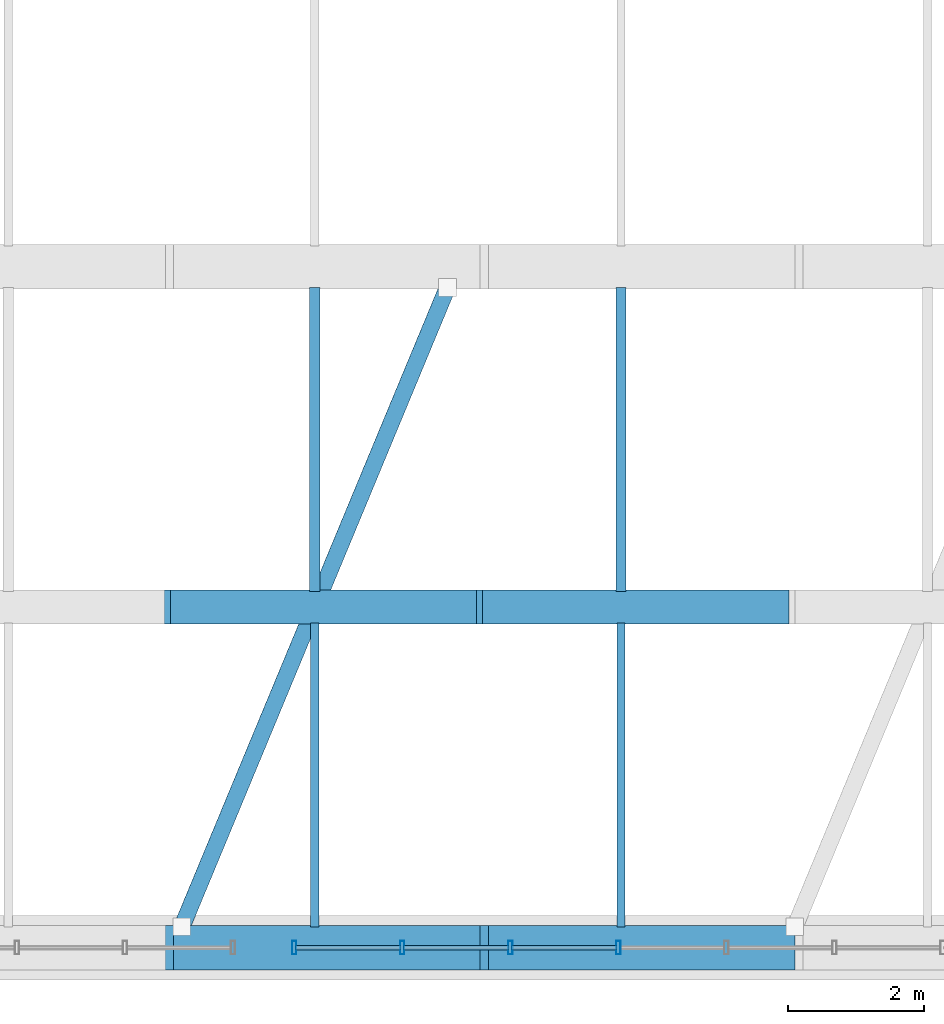
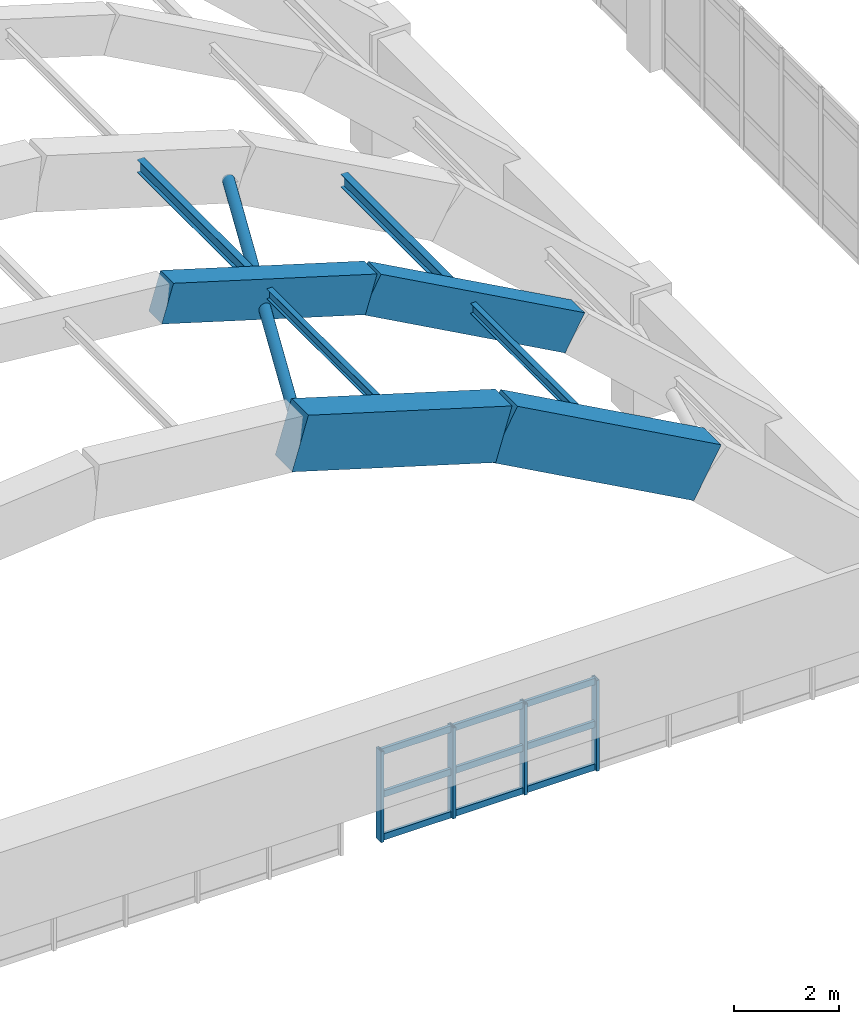
# One storey, part 67 of 111: 18 members, 4 beams, 1 element without a shape of its own.
"""IFC4 building model written with IfcOpenShell, lengths in metres."""

import ifcopenshell
import ifcopenshell.guid

model = None  # the IFC model being written
_history = None  # IfcOwnerHistory: only IFC2X3 demands one
_inside = {}  # id of a spatial element -> (the spatial element, [elements in it])
_under = {}  # id of a project, library or spatial element -> (it, [spatial elements below it])
_declared = {}  # id of a project -> (the project, [libraries it declares])
_typed = {}  # id of a type object -> (the type object, [elements of that type])
_made_of = {}  # id of a material, layer set ... -> (it, [elements and type objects made of it])


def new_model(schema):
    """Start an empty IFC model of exactly this schema.

    Asked for "IFC4X3", IfcOpenShell would pick the latest addendum, in which some entities
    have other attributes; the version numbers below select the first issue.
    IFC2X3 requires an IfcOwnerHistory on every rooted entity: one is made here for all.
    """
    global model, _history
    if schema == "IFC4X3":
        model = ifcopenshell.file(schema_version=(4, 3, 0, 0))
    else:
        model = ifcopenshell.file(schema=schema)
    _inside.clear()
    _under.clear()
    _declared.clear()
    _typed.clear()
    _made_of.clear()
    _history = None
    if model.schema == "IFC2X3":
        org = make("IfcOrganization", Name="unknown")
        user = make(
            "IfcPersonAndOrganization",
            ThePerson=make("IfcPerson", FamilyName="unknown"),
            TheOrganization=org,
        )
        app = make(
            "IfcApplication",
            ApplicationDeveloper=org,
            Version="unknown",
            ApplicationFullName="unknown",
            ApplicationIdentifier="unknown",
        )
        _history = make(
            "IfcOwnerHistory",
            OwningUser=user,
            OwningApplication=app,
            ChangeAction="ADDED",
            CreationDate=0,
        )
    return model


def make(cls, **values):
    """One entity of the class cls with the attributes given. An attribute that is None is left unset."""
    return model.create_entity(
        cls, **{name: value for name, value in values.items() if value is not None}
    )


def rooted(cls, **values):
    """An entity with a GlobalId (a new one), such as an element, a storey or a relation."""
    return make(cls, GlobalId=ifcopenshell.guid.new(), OwnerHistory=_history, **values)


def si_unit(unit_type, name, prefix=None):
    """IfcSIUnit, for example si_unit("LENGTHUNIT", "METRE", prefix="MILLI")."""
    return make("IfcSIUnit", UnitType=unit_type, Prefix=prefix, Name=name)


def assignment(units):
    """IfcUnitAssignment: the units of a project."""
    return None if units is None else make("IfcUnitAssignment", Units=units)


def point(xyz):
    """IfcCartesianPoint."""
    return None if xyz is None else make("IfcCartesianPoint", Coordinates=xyz)


def direction(xyz):
    """IfcDirection."""
    return None if xyz is None else make("IfcDirection", DirectionRatios=xyz)


def frame(location, z_axis=None, x_axis=None):
    """IfcAxis2Placement3D, a coordinate frame: its origin and axes. An axis left out is left unset."""
    return make(
        "IfcAxis2Placement3D",
        Location=point(location),
        Axis=direction(z_axis),
        RefDirection=direction(x_axis),
    )


def frame_2d(location, x_axis=None):
    """IfcAxis2Placement2D, a coordinate frame in the plane: its origin and x axis."""
    return make(
        "IfcAxis2Placement2D", Location=point(location), RefDirection=direction(x_axis)
    )


def origin():
    """The frame at (0, 0, 0) with its axes left unset."""
    return frame((0.0, 0.0, 0.0))


def origin_2d():
    """The frame at (0, 0) in the plane with its x axis left unset."""
    return frame_2d((0.0, 0.0))


def place(relative_to, where):
    """IfcLocalPlacement: puts the frame where relative to a parent placement (None: the world)."""
    return make(
        "IfcLocalPlacement", PlacementRelTo=relative_to, RelativePlacement=where
    )


def context(
    kind, dimensions, precision=None, world=None, true_north=None, identifier=None
):
    """IfcGeometricRepresentationContext, for example the 3D "Model" context."""
    return make(
        "IfcGeometricRepresentationContext",
        ContextIdentifier=identifier,
        ContextType=kind,
        CoordinateSpaceDimension=dimensions,
        Precision=precision,
        WorldCoordinateSystem=world,
        TrueNorth=true_north,
    )


def subcontext(parent, identifier, kind, view, scale=None):
    """IfcGeometricRepresentationSubContext, for example "Body" below "Model"."""
    return make(
        "IfcGeometricRepresentationSubContext",
        ContextIdentifier=identifier,
        ContextType=kind,
        ParentContext=parent,
        TargetScale=scale,
        TargetView=view,
    )


def project(units=None, contexts=None):
    """IfcProject with its units and contexts."""
    return rooted(
        "IfcProject",
        Name="project",
        RepresentationContexts=contexts,
        UnitsInContext=assignment(units),
    )


def spatial(cls, under=None, at=None, **own):
    """A site, building, storey or space (cls), placed at a placement, below another one or the project."""
    s = rooted(cls, ObjectPlacement=at, **own)
    if under is not None:
        _under.setdefault(under.id(), (under, []))[1].append(s)
    return s


def profile(cls, at=None, kind="AREA", **sizes):
    """A parametric profile (cls). Its sizes go by their IFC names, for example OverallWidth=200.0."""
    return make(cls, ProfileType=kind, Position=at, **sizes)


def rectangle(**sizes):
    """IfcRectangleProfileDef."""
    return profile("IfcRectangleProfileDef", **sizes)


def hollow_rectangle(**sizes):
    """IfcRectangleHollowProfileDef."""
    return profile("IfcRectangleHollowProfileDef", **sizes)


def hollow_circle(**sizes):
    """IfcCircleHollowProfileDef."""
    return profile("IfcCircleHollowProfileDef", **sizes)


def i_section(**sizes):
    """IfcIShapeProfileDef."""
    return profile("IfcIShapeProfileDef", **sizes)


def extrude(swept, where, along, depth):
    """IfcExtrudedAreaSolid: the profile swept, set in the frame where, extruded along a direction by depth."""
    return make(
        "IfcExtrudedAreaSolid",
        SweptArea=swept,
        Position=where,
        ExtrudedDirection=direction(along),
        Depth=depth,
    )


def shape(context_of_items, identifier, shape_type, items):
    """IfcShapeRepresentation: the items that make up one representation, for example the "Body"."""
    return make(
        "IfcShapeRepresentation",
        ContextOfItems=context_of_items,
        RepresentationIdentifier=identifier,
        RepresentationType=shape_type,
        Items=items,
    )


def material(Name=None, Category=None):
    """IfcMaterial."""
    return make("IfcMaterial", Name=Name, Category=Category)


def layer(
    of_material, thickness, ventilated=None, Name=None, Category=None, Priority=None
):
    """IfcMaterialLayer: one layer of a wall or slab, of a material (None: an air gap)."""
    return make(
        "IfcMaterialLayer",
        Material=of_material,
        LayerThickness=thickness,
        IsVentilated=ventilated,
        Name=Name,
        Category=Category,
        Priority=Priority,
    )


def layer_set(layers, Name=None):
    """IfcMaterialLayerSet."""
    return make("IfcMaterialLayerSet", MaterialLayers=layers, LayerSetName=Name)


def material_profile(
    of_material, cross_section, Name=None, Category=None, Priority=None
):
    """IfcMaterialProfile: a cross section and its material."""
    return make(
        "IfcMaterialProfile",
        Name=Name,
        Material=of_material,
        Profile=cross_section,
        Priority=Priority,
        Category=Category,
    )


def profile_set(profiles, Name=None, composite=None):
    """IfcMaterialProfileSet."""
    return make(
        "IfcMaterialProfileSet",
        Name=Name,
        MaterialProfiles=profiles,
        CompositeProfile=composite,
    )


def made_of(thing, what):
    """Note that an element or type object is made of a material, layer set ...; save() writes the relation."""
    if what is not None:
        _made_of.setdefault(what.id(), (what, []))[1].append(thing)
    return thing


def type_object(cls, material=None, **own):
    """A type object (cls), such as IfcWallType, which elements share."""
    return made_of(rooted(cls, **own), material)


def element(
    cls,
    number,
    at=None,
    inside=None,
    cuts=None,
    type_object=None,
    material=None,
    context=None,
    identifier="Body",
    shape_type=None,
    held_by="IfcProductDefinitionShape",
    body=None,
    shapes=None,
    **own,
):
    """One element of the class cls, such as IfcWall. Its Tag is "e" and its number.

    at: its placement. inside: the storey or other place that contains it. cuts: it is an
    opening in that element (IfcRelVoidsElement). A single representation is given by context,
    identifier, shape_type and body (its items); several are given by shapes. held_by: the class
    of the entity that holds the representations. save() writes the other relations.
    """
    e = rooted(cls, Tag="e%d" % number, ObjectPlacement=at, **own)
    if body is not None:
        shapes = [shape(context, identifier, shape_type, body)]
    if shapes is not None:
        e.Representation = make(held_by, Representations=shapes)
    if inside is not None:
        _inside.setdefault(inside.id(), (inside, []))[1].append(e)
    if cuts is not None:
        rooted(
            "IfcRelVoidsElement", RelatingBuildingElement=cuts, RelatedOpeningElement=e
        )
    if type_object is not None:
        _typed.setdefault(type_object.id(), (type_object, []))[1].append(e)
    return made_of(e, material)


def aggregate(whole, parts):
    """IfcRelAggregates: a whole, such as a stair, and the parts it consists of."""
    return rooted("IfcRelAggregates", RelatingObject=whole, RelatedObjects=parts)


def save(model, path):
    """Write the relations noted so far, then the file.

    IfcRelAggregates (storeys below a building ...), IfcRelContainedInSpatialStructure (elements
    in a storey), IfcRelDefinesByType, IfcRelAssociatesMaterial and IfcRelDeclares: one each for
    every whole, place, type object, material and project.
    """
    for whole, parts in _under.values():
        aggregate(whole, parts)
    for where, things in _inside.values():
        rooted(
            "IfcRelContainedInSpatialStructure",
            RelatedElements=things,
            RelatingStructure=where,
        )
    for kind, things in _typed.values():
        rooted("IfcRelDefinesByType", RelatedObjects=things, RelatingType=kind)
    for what, things in _made_of.values():
        rooted("IfcRelAssociatesMaterial", RelatedObjects=things, RelatingMaterial=what)
    for by, libraries in _declared.values():
        rooted("IfcRelDeclares", RelatingContext=by, RelatedDefinitions=libraries)
    model.write(path)


model = new_model("IFC4")

# Units and contexts
model_context = context("Model", 3, precision=1e-05, world=origin(), true_north=direction((0.0, 1.0)))
body_context = subcontext(model_context, "Body", "Model", "MODEL_VIEW")
ifc_project = project(units=[si_unit("LENGTHUNIT", "METRE"), si_unit("AREAUNIT", "SQUARE_METRE"), si_unit("VOLUMEUNIT", "CUBIC_METRE"), si_unit("PLANEANGLEUNIT", "RADIAN"), si_unit("MASSUNIT", "GRAM", prefix="KILO")], contexts=[model_context])

# Site, building, storey
site_placement = place(None, origin())
site = spatial("IfcSite", under=ifc_project, at=site_placement, CompositionType="ELEMENT")
building_placement = place(site_placement, origin())
building = spatial("IfcBuilding", under=site, at=building_placement, Name="Mersad Railyard Sports Hall", CompositionType="ELEMENT")
storey_placement = place(building_placement, frame((0.0, 0.0, 9.0)))
storey = spatial("IfcBuildingStorey", under=building, at=storey_placement, Name="L02", CompositionType="ELEMENT", Elevation=9.0)

# Curtain wall, members
ifc_material_1 = material(Name="Aluminium 6063-T6", Category="aluminium")
ifc_layer = layer(ifc_material_1, 0.199951171875)
ifc_layer_set = layer_set([ifc_layer], Name="Aluminium 6063-T6")
curtain_wall_type = type_object("IfcCurtainWallType", Name="ARC-CW-CW11", PredefinedType="USERDEFINED", material=ifc_layer_set)
curtain_wall_placement = place(storey_placement, origin())
curtain_wall = element("IfcCurtainWall", 1, at=curtain_wall_placement, inside=storey, type_object=curtain_wall_type, Name="Curtain wall CW11-0042", ObjectType="CURTAIN WALL", PredefinedType="USERDEFINED")
ifc_material_profile_1 = material_profile(ifc_material_1, hollow_rectangle(XDim=0.06494140625, YDim=0.199951171875, WallThickness=0.0048828125, at=origin_2d()), Name="AL MULLION 65x200x5")
ifc_profile_set_1 = profile_set([ifc_material_profile_1], Name="Aluminium 6063-T6")
member_type_1 = type_object("IfcMemberType", Name="ARC-CW-MUL02", PredefinedType="MULLION", material=ifc_profile_set_1)
member_1_placement = place(storey_placement, frame((166.209228515625, 3.5, -0.02001953125), z_axis=(0.0, 0.0, 1.0), x_axis=(1.0, 0.0, 0.0)))
member_1 = element("IfcMember", 2, at=member_1_placement, type_object=member_type_1, Name="CW11 Mullion 5", PredefinedType="MULLION", context=body_context, shape_type="SweptSolid", body=[
    extrude(hollow_rectangle(XDim=0.06494140625, YDim=0.199951171875, WallThickness=0.0048828125, at=origin_2d()), origin(), (0.0, 0.0, 1.0), 2.1201171875),
])
member_2_placement = place(storey_placement, frame((164.622802734375, 3.5, -0.02001953125), z_axis=(0.0, 0.0, 1.0), x_axis=(1.0, 0.0, 0.0)))
member_2 = element("IfcMember", 3, at=member_2_placement, type_object=member_type_1, Name="CW11 Mullion 6", PredefinedType="MULLION", context=body_context, shape_type="SweptSolid", body=[
    extrude(hollow_rectangle(XDim=0.06494140625, YDim=0.199951171875, WallThickness=0.0048828125, at=origin_2d()), origin(), (0.0, 0.0, 1.0), 2.1201171875),
])
member_3_placement = place(storey_placement, frame((163.036376953125, 3.5, -0.02001953125), z_axis=(0.0, 0.0, 1.0), x_axis=(1.0, 0.0, 0.0)))
member_3 = element("IfcMember", 4, at=member_3_placement, type_object=member_type_1, Name="CW11 Mullion 7", PredefinedType="MULLION", context=body_context, shape_type="SweptSolid", body=[
    extrude(hollow_rectangle(XDim=0.06494140625, YDim=0.199951171875, WallThickness=0.0048828125, at=origin_2d()), origin(), (0.0, 0.0, 1.0), 2.1201171875),
])
member_4_placement = place(storey_placement, frame((161.449951171875, 3.5, -0.02001953125), z_axis=(0.0, 0.0, 1.0), x_axis=(1.0, 0.0, 0.0)))
member_4 = element("IfcMember", 5, at=member_4_placement, type_object=member_type_1, Name="CW11 Mullion 8", PredefinedType="MULLION", context=body_context, shape_type="SweptSolid", body=[
    extrude(hollow_rectangle(XDim=0.06494140625, YDim=0.199951171875, WallThickness=0.0048828125, at=origin_2d()), origin(), (0.0, 0.0, 1.0), 2.1201171875),
])
ifc_material_profile_2 = material_profile(ifc_material_1, hollow_rectangle(XDim=0.06494140625, YDim=0.14990234375, WallThickness=0.00439453125, at=origin_2d()), Name="AL TRANSOM 65x150x4.5")
ifc_profile_set_2 = profile_set([ifc_material_profile_2], Name="Aluminium 6063-T6")
member_type_2 = type_object("IfcMemberType", Name="ARC-CW-TRN02", PredefinedType="USERDEFINED", material=ifc_profile_set_2)
member_5_placement = place(storey_placement, frame((166.189208984375, 3.5, 0.0400390625), z_axis=(-1.0, 0.0, 0.0), x_axis=(0.0, -1.0, 0.0)))
member_5 = element("IfcMember", 6, at=member_5_placement, type_object=member_type_2, Name="CW11 Transom 1-5", ObjectType="TRANSOM", PredefinedType="USERDEFINED", context=body_context, shape_type="SweptSolid", body=[
    extrude(hollow_rectangle(XDim=0.06494140625, YDim=0.14990234375, WallThickness=0.00439453125, at=origin_2d()), origin(), (0.0, 0.0, 1.0), 1.54638671875),
])
member_6_placement = place(storey_placement, frame((164.602783203125, 3.5, 0.0400390625), z_axis=(-1.0, 0.0, 0.0), x_axis=(0.0, -1.0, 0.0)))
member_6 = element("IfcMember", 7, at=member_6_placement, type_object=member_type_2, Name="CW11 Transom 1-6", ObjectType="TRANSOM", PredefinedType="USERDEFINED", context=body_context, shape_type="SweptSolid", body=[
    extrude(hollow_rectangle(XDim=0.06494140625, YDim=0.14990234375, WallThickness=0.00439453125, at=origin_2d()), origin(), (0.0, 0.0, 1.0), 1.54638671875),
])
member_7_placement = place(storey_placement, frame((163.016357421875, 3.5, 0.0400390625), z_axis=(-1.0, 0.0, 0.0), x_axis=(0.0, -1.0, 0.0)))
member_7 = element("IfcMember", 8, at=member_7_placement, type_object=member_type_2, Name="CW11 Transom 1-7", ObjectType="TRANSOM", PredefinedType="USERDEFINED", context=body_context, shape_type="SweptSolid", body=[
    extrude(hollow_rectangle(XDim=0.06494140625, YDim=0.14990234375, WallThickness=0.00439453125, at=origin_2d()), origin(), (0.0, 0.0, 1.0), 1.54638671875),
])
member_8_placement = place(storey_placement, frame((166.189208984375, 3.5, 1.0400390625), z_axis=(-1.0, 0.0, 0.0), x_axis=(0.0, -1.0, 0.0)))
member_8 = element("IfcMember", 9, at=member_8_placement, type_object=member_type_2, Name="CW11 Transom 2-5", ObjectType="TRANSOM", PredefinedType="USERDEFINED", context=body_context, shape_type="SweptSolid", body=[
    extrude(hollow_rectangle(XDim=0.06494140625, YDim=0.14990234375, WallThickness=0.00439453125, at=origin_2d()), origin(), (0.0, 0.0, 1.0), 1.54638671875),
])
member_9_placement = place(storey_placement, frame((164.602783203125, 3.5, 1.0400390625), z_axis=(-1.0, 0.0, 0.0), x_axis=(0.0, -1.0, 0.0)))
member_9 = element("IfcMember", 10, at=member_9_placement, type_object=member_type_2, Name="CW11 Transom 2-6", ObjectType="TRANSOM", PredefinedType="USERDEFINED", context=body_context, shape_type="SweptSolid", body=[
    extrude(hollow_rectangle(XDim=0.06494140625, YDim=0.14990234375, WallThickness=0.00439453125, at=origin_2d()), origin(), (0.0, 0.0, 1.0), 1.54638671875),
])
member_10_placement = place(storey_placement, frame((163.016357421875, 3.5, 1.0400390625), z_axis=(-1.0, 0.0, 0.0), x_axis=(0.0, -1.0, 0.0)))
member_10 = element("IfcMember", 11, at=member_10_placement, type_object=member_type_2, Name="CW11 Transom 2-7", ObjectType="TRANSOM", PredefinedType="USERDEFINED", context=body_context, shape_type="SweptSolid", body=[
    extrude(hollow_rectangle(XDim=0.06494140625, YDim=0.14990234375, WallThickness=0.00439453125, at=origin_2d()), origin(), (0.0, 0.0, 1.0), 1.54638671875),
])
member_11_placement = place(storey_placement, frame((166.189208984375, 3.5, 2.0400390625), z_axis=(-1.0, 0.0, 0.0), x_axis=(0.0, -1.0, 0.0)))
member_11 = element("IfcMember", 12, at=member_11_placement, type_object=member_type_2, Name="CW11 Transom 3-5", ObjectType="TRANSOM", PredefinedType="USERDEFINED", context=body_context, shape_type="SweptSolid", body=[
    extrude(hollow_rectangle(XDim=0.06494140625, YDim=0.14990234375, WallThickness=0.00439453125, at=origin_2d()), origin(), (0.0, 0.0, 1.0), 1.54638671875),
])
member_12_placement = place(storey_placement, frame((164.602783203125, 3.5, 2.0400390625), z_axis=(-1.0, 0.0, 0.0), x_axis=(0.0, -1.0, 0.0)))
member_12 = element("IfcMember", 13, at=member_12_placement, type_object=member_type_2, Name="CW11 Transom 3-6", ObjectType="TRANSOM", PredefinedType="USERDEFINED", context=body_context, shape_type="SweptSolid", body=[
    extrude(hollow_rectangle(XDim=0.06494140625, YDim=0.14990234375, WallThickness=0.00439453125, at=origin_2d()), origin(), (0.0, 0.0, 1.0), 1.54638671875),
])
member_13_placement = place(storey_placement, frame((163.016357421875, 3.5, 2.0400390625), z_axis=(-1.0, 0.0, 0.0), x_axis=(0.0, -1.0, 0.0)))
member_13 = element("IfcMember", 14, at=member_13_placement, type_object=member_type_2, Name="CW11 Transom 3-7", ObjectType="TRANSOM", PredefinedType="USERDEFINED", context=body_context, shape_type="SweptSolid", body=[
    extrude(hollow_rectangle(XDim=0.06494140625, YDim=0.14990234375, WallThickness=0.00439453125, at=origin_2d()), origin(), (0.0, 0.0, 1.0), 1.54638671875),
])
aggregate(curtain_wall, [member_1, member_2, member_3, member_4, member_5, member_6, member_7, member_8, member_9, member_10, member_11, member_12, member_13])

# Beams
ifc_material_2 = material(Name="Architectural concrete C50/60", Category="concrete")
ifc_material_profile_3 = material_profile(ifc_material_2, rectangle(XDim=0.64990234375, YDim=1.25, at=origin_2d()), Name="VR 650x1250")
ifc_profile_set_3 = profile_set([ifc_material_profile_3], Name="Architectural concrete C50/60")
beam_type_1 = type_object("IfcBeamType", Name="STR-BM-VR01", PredefinedType="BEAM", material=ifc_profile_set_3)
beam_1_placement = place(storey_placement, frame((159.5, 3.5, 10.11474609375), z_axis=(0.957376232028, 0.0, -0.288843816531), x_axis=(0.0, 1.0, 0.0)))
element("IfcBeam", 15, at=beam_1_placement, inside=storey, type_object=beam_type_1, Name="Beam VR01-0726", PredefinedType="BEAM", context=body_context, shape_type="SweptSolid", body=[
    extrude(rectangle(XDim=0.64990234375, YDim=1.25, at=origin_2d()), origin(), (0.0, 0.0, 1.0), 4.700439453125),
])
beam_2_placement = place(storey_placement, frame((164.0, 3.5, 8.757080078125), z_axis=(0.876227952683, 0.0, -0.48189685093), x_axis=(0.0, 1.0, 0.0)))
element("IfcBeam", 16, at=beam_2_placement, inside=storey, type_object=beam_type_1, Name="Beam VR01-0727", PredefinedType="BEAM", context=body_context, shape_type="SweptSolid", body=[
    extrude(rectangle(XDim=0.64990234375, YDim=1.25, at=origin_2d()), origin(), (0.0, 0.0, 1.0), 5.1357421875),
])
ifc_material_profile_4 = material_profile(ifc_material_2, rectangle(XDim=0.5, YDim=0.89990234375, at=origin_2d()), Name="VR 500x900")
ifc_profile_set_4 = profile_set([ifc_material_profile_4], Name="Architectural concrete C50/60")
beam_type_2 = type_object("IfcBeamType", Name="STR-BM-VR02", PredefinedType="BEAM", material=ifc_profile_set_4)
beam_3_placement = place(storey_placement, frame((159.5, 8.5, 10.304931640625), z_axis=(0.957361867705, 0.0, -0.288891422969), x_axis=(0.0, 1.0, 0.0)))
element("IfcBeam", 17, at=beam_3_placement, inside=storey, type_object=beam_type_2, Name="Beam VR02-0734", PredefinedType="BEAM", context=body_context, shape_type="SweptSolid", body=[
    extrude(rectangle(XDim=0.5, YDim=0.89990234375, at=origin_2d()), origin(), (0.0, 0.0, 1.0), 4.700439453125),
])
beam_4_placement = place(storey_placement, frame((164.0, 8.5, 8.947021484375), z_axis=(0.876227952683, 0.0, -0.48189685093), x_axis=(0.0, 1.0, 0.0)))
element("IfcBeam", 18, at=beam_4_placement, inside=storey, type_object=beam_type_2, Name="Beam VR02-0735", PredefinedType="BEAM", context=body_context, shape_type="SweptSolid", body=[
    extrude(rectangle(XDim=0.5, YDim=0.89990234375, at=origin_2d()), origin(), (0.0, 0.0, 1.0), 5.1357421875),
])

# Members
ifc_material_3 = material(Name="Steel S355", Category="steel")
ifc_material_profile_5 = material_profile(ifc_material_3, hollow_circle(Radius=0.122314453125, WallThickness=0.012451171875, at=origin_2d()), Name="CHS 244.5x12.5")
ifc_profile_set_5 = profile_set([ifc_material_profile_5], Name="Steel S355")
member_type_3 = type_object("IfcMemberType", Name="STR-MEM-BR01", PredefinedType="BRACE", material=ifc_profile_set_5)
member_14_placement = place(storey_placement, frame((159.800048828125, 3.804931640625, 10.0849609375), z_axis=(0.380179270822, 0.915390954948, -0.132374928278), x_axis=(-0.923518176545, 0.383554660499, 0.0)))
element("IfcMember", 19, at=member_14_placement, inside=storey, type_object=member_type_3, Name="Structural member BR01-0112", PredefinedType="BRACE", context=body_context, shape_type="SweptSolid", body=[
    extrude(hollow_circle(Radius=0.122314453125, WallThickness=0.012451171875, at=origin_2d()), origin(), (0.0, 0.0, 1.0), 10.258056640625),
])
ifc_material_profile_6 = material_profile(ifc_material_3, i_section(OverallWidth=0.1201171875, OverallDepth=0.239990234375, WebThickness=0.006103515625, FlangeThickness=0.009765625, at=origin_2d()), Name="IPE 240")
ifc_profile_set_6 = profile_set([ifc_material_profile_6], Name="Steel S355")
member_type_4 = type_object("IfcMemberType", Name="STR-MEM-PU01", PredefinedType="PURLIN", material=ifc_profile_set_6)
for number, where, z_axis, x_axis, name in (
    (20, (161.75, 3.804931640625, 9.765869140625), (0.0, 1.0, 0.0), (-1.0, 0.0, 0.0), "Structural member PU01-0104"),
    (21, (166.25, 3.804931640625, 7.849609375), (0.0, 1.0, 0.0), (-1.0, 0.0, 0.0), "Structural member PU01-0106"),
):
    element("IfcMember", number, at=place(storey_placement, frame(where, z_axis=z_axis, x_axis=x_axis)), inside=storey, type_object=member_type_4, Name=name, PredefinedType="PURLIN", context=body_context, shape_type="SweptSolid", body=[
        extrude(i_section(OverallWidth=0.1201171875, OverallDepth=0.239990234375, WebThickness=0.006103515625, FlangeThickness=0.009765625, at=origin_2d()), origin(), (0.0, 0.0, 1.0), 4.465087890625),
    ])
ifc_material_profile_7 = material_profile(ifc_material_3, i_section(OverallWidth=0.14990234375, OverallDepth=0.300048828125, WebThickness=0.007080078125, FlangeThickness=0.0107421875, at=origin_2d()), Name="IPE 300")
ifc_profile_set_7 = profile_set([ifc_material_profile_7], Name="Steel S355")
member_type_5 = type_object("IfcMemberType", Name="STR-MEM-PU02", PredefinedType="PURLIN", material=ifc_profile_set_7)
for number, where, z_axis, x_axis, name in (
    (22, (161.75, 8.72998046875, 9.765869140625), (0.0, 1.0, 0.0), (-1.0, 0.0, 0.0), "Structural member PU02-0105"),
    (23, (166.25, 8.72998046875, 7.849609375), (0.0, 1.0, 0.0), (-1.0, 0.0, 0.0), "Structural member PU02-0107"),
):
    element("IfcMember", number, at=place(storey_placement, frame(where, z_axis=z_axis, x_axis=x_axis)), inside=storey, type_object=member_type_5, Name=name, PredefinedType="PURLIN", context=body_context, shape_type="SweptSolid", body=[
        extrude(i_section(OverallWidth=0.14990234375, OverallDepth=0.300048828125, WebThickness=0.007080078125, FlangeThickness=0.0107421875, at=origin_2d()), origin(), (0.0, 0.0, 1.0), 4.465087890625),
    ])

save(model, "model.ifc")
